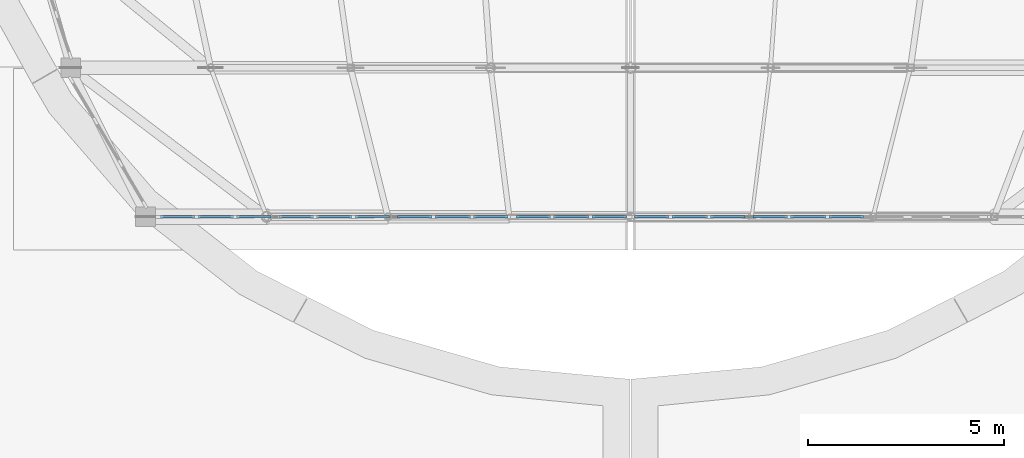
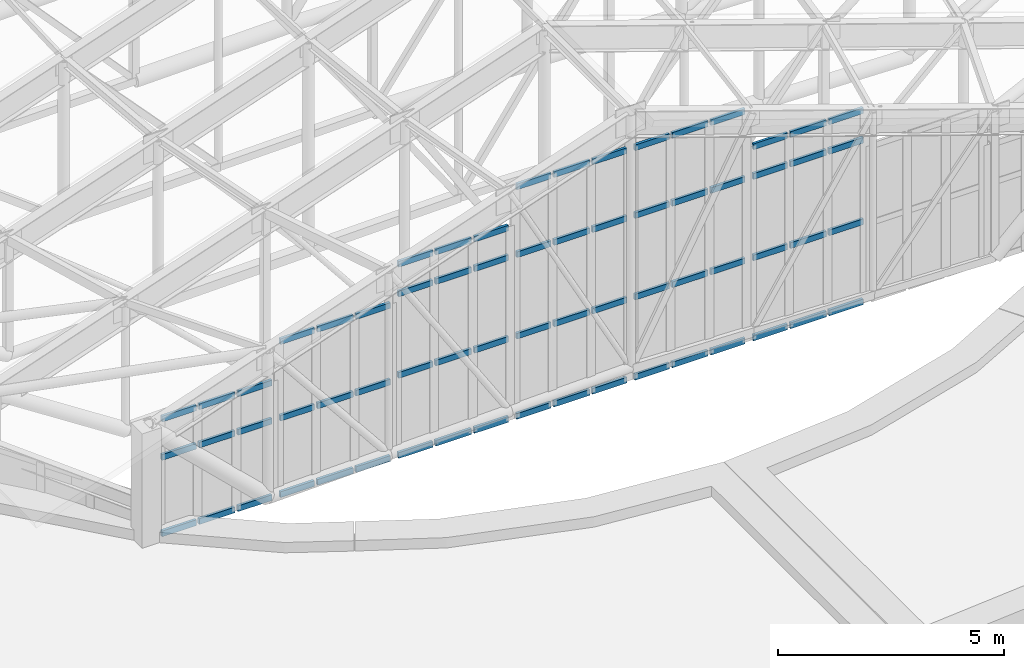
# One storey, part 52 of 105: 66 members, 6 elements without a shape of their own.
"""IFC4 building model written with IfcOpenShell, lengths in metres."""

from ifc_helpers import new_model, si_unit, direction, frame, origin, origin_2d, place, context, subcontext, project, spatial, rectangle, extrude, material, material_profile, profile_set, type_object, element, aggregate, save


model = new_model("IFC4")

# Units and contexts
model_context = context("Model", 3, precision=1e-05, world=origin(), true_north=direction((0.0, 1.0)))
body_context = subcontext(model_context, "Body", "Model", "MODEL_VIEW")
ifc_project = project(units=[si_unit("LENGTHUNIT", "METRE"), si_unit("AREAUNIT", "SQUARE_METRE"), si_unit("VOLUMEUNIT", "CUBIC_METRE"), si_unit("PLANEANGLEUNIT", "RADIAN"), si_unit("MASSUNIT", "GRAM", prefix="KILO")], contexts=[model_context])

# Site, building, storey
site_placement = place(None, origin())
site = spatial("IfcSite", under=ifc_project, at=site_placement, CompositionType="ELEMENT")
building_placement = place(site_placement, origin())
building = spatial("IfcBuilding", under=site, at=building_placement, Name="Corveleigh Park Community Centre", CompositionType="ELEMENT")
storey_placement = place(building_placement, frame((0.0, 0.0, 8.699951171875)))
storey = spatial("IfcBuildingStorey", under=building, at=storey_placement, Name="L02", CompositionType="ELEMENT", Elevation=8.699951171875)

# Curtain wall, members
ifc_material = material(Name="Anodised aluminium 6063-T6", Category="aluminium")
curtain_wall_type = type_object("IfcCurtainWallType", Name="CW-SYS-V1-DRUM", PredefinedType="NOTDEFINED", material=ifc_material)
curtain_wall_1_placement = place(storey_placement, origin())
curtain_wall_1 = element("IfcCurtainWall", 1, at=curtain_wall_1_placement, inside=storey, type_object=curtain_wall_type, Name="Main Hall S Gable Clerestory 1", PredefinedType="NOTDEFINED")
ifc_material_profile = material_profile(ifc_material, rectangle(XDim=0.070068359375, YDim=0.155029296875, at=origin_2d()), Name="ALU-T70x155", Category="aluminium")
ifc_profile_set = profile_set([ifc_material_profile], Name="Anodised aluminium 6063-T6")
member_type = type_object("IfcMemberType", Name="CWT-70x155", PredefinedType="USERDEFINED", material=ifc_profile_set)
member_1_placement = place(storey_placement, frame((19.01904296875, 15.39990234375, 0.03515625), z_axis=(1.0, 0.0, 0.0), x_axis=(0.0, 1.0, 0.0)))
member_1 = element("IfcMember", 2, at=member_1_placement, type_object=member_type, Name="CW02 transom 1.1", ObjectType="TRANSOM", PredefinedType="USERDEFINED", context=body_context, shape_type="SweptSolid", body=[
    extrude(rectangle(XDim=0.070068359375, YDim=0.155029296875, at=origin_2d()), origin(), (0.0, 0.0, 1.0), 0.87451171875),
])
member_2_placement = place(storey_placement, frame((19.01904296875, 15.39990234375, 2.10009765625), z_axis=(1.0, 0.0, 0.0), x_axis=(0.0, 1.0, 0.0)))
member_2 = element("IfcMember", 3, at=member_2_placement, type_object=member_type, Name="CW02 transom 1.2", ObjectType="TRANSOM", PredefinedType="USERDEFINED", context=body_context, shape_type="SweptSolid", body=[
    extrude(rectangle(XDim=0.070068359375, YDim=0.155029296875, at=origin_2d()), origin(), (0.0, 0.0, 1.0), 0.87451171875),
])
member_3_placement = place(storey_placement, frame((19.01904296875, 15.39990234375, 3.135986328125), z_axis=(1.0, 0.0, 0.0), x_axis=(0.0, 1.0, 0.0)))
member_3 = element("IfcMember", 4, at=member_3_placement, type_object=member_type, Name="CW02 transom 1.3", ObjectType="TRANSOM", PredefinedType="USERDEFINED", context=body_context, shape_type="SweptSolid", body=[
    extrude(rectangle(XDim=0.070068359375, YDim=0.155029296875, at=origin_2d()), origin(), (0.0, 0.0, 1.0), 0.87451171875),
])
member_4_placement = place(storey_placement, frame((19.968505859375, 15.39990234375, 0.03515625), z_axis=(1.0, 0.0, 0.0), x_axis=(0.0, 1.0, 0.0)))
member_4 = element("IfcMember", 5, at=member_4_placement, type_object=member_type, Name="CW02 transom 2.1", ObjectType="TRANSOM", PredefinedType="USERDEFINED", context=body_context, shape_type="SweptSolid", body=[
    extrude(rectangle(XDim=0.070068359375, YDim=0.155029296875, at=origin_2d()), origin(), (0.0, 0.0, 1.0), 0.912109375),
])
member_5_placement = place(storey_placement, frame((19.968505859375, 15.39990234375, 2.10009765625), z_axis=(1.0, 0.0, 0.0), x_axis=(0.0, 1.0, 0.0)))
member_5 = element("IfcMember", 6, at=member_5_placement, type_object=member_type, Name="CW02 transom 2.2", ObjectType="TRANSOM", PredefinedType="USERDEFINED", context=body_context, shape_type="SweptSolid", body=[
    extrude(rectangle(XDim=0.070068359375, YDim=0.155029296875, at=origin_2d()), origin(), (0.0, 0.0, 1.0), 0.912109375),
])
member_6_placement = place(storey_placement, frame((19.968505859375, 15.39990234375, 3.135986328125), z_axis=(1.0, 0.0, 0.0), x_axis=(0.0, 1.0, 0.0)))
member_6 = element("IfcMember", 7, at=member_6_placement, type_object=member_type, Name="CW02 transom 2.3", ObjectType="TRANSOM", PredefinedType="USERDEFINED", context=body_context, shape_type="SweptSolid", body=[
    extrude(rectangle(XDim=0.070068359375, YDim=0.155029296875, at=origin_2d()), origin(), (0.0, 0.0, 1.0), 0.912109375),
])
member_7_placement = place(storey_placement, frame((20.95556640625, 15.39990234375, 0.03515625), z_axis=(1.0, 0.0, 0.0), x_axis=(0.0, 1.0, 0.0)))
member_7 = element("IfcMember", 8, at=member_7_placement, type_object=member_type, Name="CW02 transom 3.1", ObjectType="TRANSOM", PredefinedType="USERDEFINED", context=body_context, shape_type="SweptSolid", body=[
    extrude(rectangle(XDim=0.070068359375, YDim=0.155029296875, at=origin_2d()), origin(), (0.0, 0.0, 1.0), 0.87451171875),
])
member_8_placement = place(storey_placement, frame((20.95556640625, 15.39990234375, 2.10009765625), z_axis=(1.0, 0.0, 0.0), x_axis=(0.0, 1.0, 0.0)))
member_8 = element("IfcMember", 9, at=member_8_placement, type_object=member_type, Name="CW02 transom 3.2", ObjectType="TRANSOM", PredefinedType="USERDEFINED", context=body_context, shape_type="SweptSolid", body=[
    extrude(rectangle(XDim=0.070068359375, YDim=0.155029296875, at=origin_2d()), origin(), (0.0, 0.0, 1.0), 0.87451171875),
])
member_9_placement = place(storey_placement, frame((20.95556640625, 15.39990234375, 3.135986328125), z_axis=(1.0, 0.0, 0.0), x_axis=(0.0, 1.0, 0.0)))
member_9 = element("IfcMember", 10, at=member_9_placement, type_object=member_type, Name="CW02 transom 3.3", ObjectType="TRANSOM", PredefinedType="USERDEFINED", context=body_context, shape_type="SweptSolid", body=[
    extrude(rectangle(XDim=0.070068359375, YDim=0.155029296875, at=origin_2d()), origin(), (0.0, 0.0, 1.0), 0.87451171875),
])
aggregate(curtain_wall_1, [member_1, member_2, member_3, member_4, member_5, member_6, member_7, member_8, member_9])

curtain_wall_2_placement = place(storey_placement, origin())
curtain_wall_2 = element("IfcCurtainWall", 11, at=curtain_wall_2_placement, inside=storey, type_object=curtain_wall_type, Name="Main Hall S Gable Clerestory 2", PredefinedType="NOTDEFINED")
member_10_placement = place(storey_placement, frame((22.041015625, 15.39990234375, 0.03515625), z_axis=(1.0, 0.0, 0.0), x_axis=(0.0, 1.0, 0.0)))
member_10 = element("IfcMember", 12, at=member_10_placement, type_object=member_type, Name="CW02 transom 1.1", ObjectType="TRANSOM", PredefinedType="USERDEFINED", context=body_context, shape_type="SweptSolid", body=[
    extrude(rectangle(XDim=0.070068359375, YDim=0.155029296875, at=origin_2d()), origin(), (0.0, 0.0, 1.0), 0.87451171875),
])
member_11_placement = place(storey_placement, frame((22.041015625, 15.39990234375, 2.10009765625), z_axis=(1.0, 0.0, 0.0), x_axis=(0.0, 1.0, 0.0)))
member_11 = element("IfcMember", 13, at=member_11_placement, type_object=member_type, Name="CW02 transom 1.2", ObjectType="TRANSOM", PredefinedType="USERDEFINED", context=body_context, shape_type="SweptSolid", body=[
    extrude(rectangle(XDim=0.070068359375, YDim=0.155029296875, at=origin_2d()), origin(), (0.0, 0.0, 1.0), 0.87451171875),
])
member_12_placement = place(storey_placement, frame((22.041015625, 15.39990234375, 4.16796875), z_axis=(1.0, 0.0, 0.0), x_axis=(0.0, 1.0, 0.0)))
member_12 = element("IfcMember", 14, at=member_12_placement, type_object=member_type, Name="CW02 transom 1.3", ObjectType="TRANSOM", PredefinedType="USERDEFINED", context=body_context, shape_type="SweptSolid", body=[
    extrude(rectangle(XDim=0.070068359375, YDim=0.155029296875, at=origin_2d()), origin(), (0.0, 0.0, 1.0), 0.87451171875),
])
member_13_placement = place(storey_placement, frame((22.990478515625, 15.39990234375, 0.03515625), z_axis=(1.0, 0.0, 0.0), x_axis=(0.0, 1.0, 0.0)))
member_13 = element("IfcMember", 15, at=member_13_placement, type_object=member_type, Name="CW02 transom 2.1", ObjectType="TRANSOM", PredefinedType="USERDEFINED", context=body_context, shape_type="SweptSolid", body=[
    extrude(rectangle(XDim=0.070068359375, YDim=0.155029296875, at=origin_2d()), origin(), (0.0, 0.0, 1.0), 0.912109375),
])
member_14_placement = place(storey_placement, frame((22.990478515625, 15.39990234375, 2.10009765625), z_axis=(1.0, 0.0, 0.0), x_axis=(0.0, 1.0, 0.0)))
member_14 = element("IfcMember", 16, at=member_14_placement, type_object=member_type, Name="CW02 transom 2.2", ObjectType="TRANSOM", PredefinedType="USERDEFINED", context=body_context, shape_type="SweptSolid", body=[
    extrude(rectangle(XDim=0.070068359375, YDim=0.155029296875, at=origin_2d()), origin(), (0.0, 0.0, 1.0), 0.912109375),
])
member_15_placement = place(storey_placement, frame((22.990478515625, 15.39990234375, 4.16796875), z_axis=(1.0, 0.0, 0.0), x_axis=(0.0, 1.0, 0.0)))
member_15 = element("IfcMember", 17, at=member_15_placement, type_object=member_type, Name="CW02 transom 2.3", ObjectType="TRANSOM", PredefinedType="USERDEFINED", context=body_context, shape_type="SweptSolid", body=[
    extrude(rectangle(XDim=0.070068359375, YDim=0.155029296875, at=origin_2d()), origin(), (0.0, 0.0, 1.0), 0.912109375),
])
member_16_placement = place(storey_placement, frame((23.9775390625, 15.39990234375, 0.03515625), z_axis=(1.0, 0.0, 0.0), x_axis=(0.0, 1.0, 0.0)))
member_16 = element("IfcMember", 18, at=member_16_placement, type_object=member_type, Name="CW02 transom 3.1", ObjectType="TRANSOM", PredefinedType="USERDEFINED", context=body_context, shape_type="SweptSolid", body=[
    extrude(rectangle(XDim=0.070068359375, YDim=0.155029296875, at=origin_2d()), origin(), (0.0, 0.0, 1.0), 0.87451171875),
])
member_17_placement = place(storey_placement, frame((23.9775390625, 15.39990234375, 2.10009765625), z_axis=(1.0, 0.0, 0.0), x_axis=(0.0, 1.0, 0.0)))
member_17 = element("IfcMember", 19, at=member_17_placement, type_object=member_type, Name="CW02 transom 3.2", ObjectType="TRANSOM", PredefinedType="USERDEFINED", context=body_context, shape_type="SweptSolid", body=[
    extrude(rectangle(XDim=0.070068359375, YDim=0.155029296875, at=origin_2d()), origin(), (0.0, 0.0, 1.0), 0.87451171875),
])
member_18_placement = place(storey_placement, frame((23.9775390625, 15.39990234375, 4.16796875), z_axis=(1.0, 0.0, 0.0), x_axis=(0.0, 1.0, 0.0)))
member_18 = element("IfcMember", 20, at=member_18_placement, type_object=member_type, Name="CW02 transom 3.3", ObjectType="TRANSOM", PredefinedType="USERDEFINED", context=body_context, shape_type="SweptSolid", body=[
    extrude(rectangle(XDim=0.070068359375, YDim=0.155029296875, at=origin_2d()), origin(), (0.0, 0.0, 1.0), 0.87451171875),
])
aggregate(curtain_wall_2, [member_10, member_11, member_12, member_13, member_14, member_15, member_16, member_17, member_18])

curtain_wall_3_placement = place(storey_placement, origin())
curtain_wall_3 = element("IfcCurtainWall", 21, at=curtain_wall_3_placement, inside=storey, type_object=curtain_wall_type, Name="Main Hall S Gable Clerestory 3", PredefinedType="NOTDEFINED")
member_19_placement = place(storey_placement, frame((25.06201171875, 15.39990234375, 0.03515625), z_axis=(1.0, 0.0, 0.0), x_axis=(0.0, 1.0, 0.0)))
member_19 = element("IfcMember", 22, at=member_19_placement, type_object=member_type, Name="CW02 transom 1.1", ObjectType="TRANSOM", PredefinedType="USERDEFINED", context=body_context, shape_type="SweptSolid", body=[
    extrude(rectangle(XDim=0.070068359375, YDim=0.155029296875, at=origin_2d()), origin(), (0.0, 0.0, 1.0), 0.87451171875),
])
member_20_placement = place(storey_placement, frame((25.06201171875, 15.39990234375, 2.199951171875), z_axis=(1.0, 0.0, 0.0), x_axis=(0.0, 1.0, 0.0)))
member_20 = element("IfcMember", 23, at=member_20_placement, type_object=member_type, Name="CW02 transom 1.2", ObjectType="TRANSOM", PredefinedType="USERDEFINED", context=body_context, shape_type="SweptSolid", body=[
    extrude(rectangle(XDim=0.070068359375, YDim=0.155029296875, at=origin_2d()), origin(), (0.0, 0.0, 1.0), 0.87451171875),
])
member_21_placement = place(storey_placement, frame((25.06201171875, 15.39990234375, 4.400146484375), z_axis=(1.0, 0.0, 0.0), x_axis=(0.0, 1.0, 0.0)))
member_21 = element("IfcMember", 24, at=member_21_placement, type_object=member_type, Name="CW02 transom 1.3", ObjectType="TRANSOM", PredefinedType="USERDEFINED", context=body_context, shape_type="SweptSolid", body=[
    extrude(rectangle(XDim=0.070068359375, YDim=0.155029296875, at=origin_2d()), origin(), (0.0, 0.0, 1.0), 0.87451171875),
])
member_22_placement = place(storey_placement, frame((25.06201171875, 15.39990234375, 5.200927734375), z_axis=(1.0, 0.0, 0.0), x_axis=(0.0, 1.0, 0.0)))
member_22 = element("IfcMember", 25, at=member_22_placement, type_object=member_type, Name="CW02 transom 1.4", ObjectType="TRANSOM", PredefinedType="USERDEFINED", context=body_context, shape_type="SweptSolid", body=[
    extrude(rectangle(XDim=0.070068359375, YDim=0.155029296875, at=origin_2d()), origin(), (0.0, 0.0, 1.0), 0.87451171875),
])
member_23_placement = place(storey_placement, frame((26.011474609375, 15.39990234375, 0.03515625), z_axis=(1.0, 0.0, 0.0), x_axis=(0.0, 1.0, 0.0)))
member_23 = element("IfcMember", 26, at=member_23_placement, type_object=member_type, Name="CW02 transom 2.1", ObjectType="TRANSOM", PredefinedType="USERDEFINED", context=body_context, shape_type="SweptSolid", body=[
    extrude(rectangle(XDim=0.070068359375, YDim=0.155029296875, at=origin_2d()), origin(), (0.0, 0.0, 1.0), 0.912109375),
])
member_24_placement = place(storey_placement, frame((26.011474609375, 15.39990234375, 2.199951171875), z_axis=(1.0, 0.0, 0.0), x_axis=(0.0, 1.0, 0.0)))
member_24 = element("IfcMember", 27, at=member_24_placement, type_object=member_type, Name="CW02 transom 2.2", ObjectType="TRANSOM", PredefinedType="USERDEFINED", context=body_context, shape_type="SweptSolid", body=[
    extrude(rectangle(XDim=0.070068359375, YDim=0.155029296875, at=origin_2d()), origin(), (0.0, 0.0, 1.0), 0.912109375),
])
member_25_placement = place(storey_placement, frame((26.011474609375, 15.39990234375, 4.400146484375), z_axis=(1.0, 0.0, 0.0), x_axis=(0.0, 1.0, 0.0)))
member_25 = element("IfcMember", 28, at=member_25_placement, type_object=member_type, Name="CW02 transom 2.3", ObjectType="TRANSOM", PredefinedType="USERDEFINED", context=body_context, shape_type="SweptSolid", body=[
    extrude(rectangle(XDim=0.070068359375, YDim=0.155029296875, at=origin_2d()), origin(), (0.0, 0.0, 1.0), 0.912109375),
])
member_26_placement = place(storey_placement, frame((26.011474609375, 15.39990234375, 5.200927734375), z_axis=(1.0, 0.0, 0.0), x_axis=(0.0, 1.0, 0.0)))
member_26 = element("IfcMember", 29, at=member_26_placement, type_object=member_type, Name="CW02 transom 2.4", ObjectType="TRANSOM", PredefinedType="USERDEFINED", context=body_context, shape_type="SweptSolid", body=[
    extrude(rectangle(XDim=0.070068359375, YDim=0.155029296875, at=origin_2d()), origin(), (0.0, 0.0, 1.0), 0.912109375),
])
member_27_placement = place(storey_placement, frame((26.99853515625, 15.39990234375, 0.03515625), z_axis=(1.0, 0.0, 0.0), x_axis=(0.0, 1.0, 0.0)))
member_27 = element("IfcMember", 30, at=member_27_placement, type_object=member_type, Name="CW02 transom 3.1", ObjectType="TRANSOM", PredefinedType="USERDEFINED", context=body_context, shape_type="SweptSolid", body=[
    extrude(rectangle(XDim=0.070068359375, YDim=0.155029296875, at=origin_2d()), origin(), (0.0, 0.0, 1.0), 0.87451171875),
])
member_28_placement = place(storey_placement, frame((26.99853515625, 15.39990234375, 2.199951171875), z_axis=(1.0, 0.0, 0.0), x_axis=(0.0, 1.0, 0.0)))
member_28 = element("IfcMember", 31, at=member_28_placement, type_object=member_type, Name="CW02 transom 3.2", ObjectType="TRANSOM", PredefinedType="USERDEFINED", context=body_context, shape_type="SweptSolid", body=[
    extrude(rectangle(XDim=0.070068359375, YDim=0.155029296875, at=origin_2d()), origin(), (0.0, 0.0, 1.0), 0.87451171875),
])
member_29_placement = place(storey_placement, frame((26.99853515625, 15.39990234375, 4.400146484375), z_axis=(1.0, 0.0, 0.0), x_axis=(0.0, 1.0, 0.0)))
member_29 = element("IfcMember", 32, at=member_29_placement, type_object=member_type, Name="CW02 transom 3.3", ObjectType="TRANSOM", PredefinedType="USERDEFINED", context=body_context, shape_type="SweptSolid", body=[
    extrude(rectangle(XDim=0.070068359375, YDim=0.155029296875, at=origin_2d()), origin(), (0.0, 0.0, 1.0), 0.87451171875),
])
member_30_placement = place(storey_placement, frame((26.99853515625, 15.39990234375, 5.200927734375), z_axis=(1.0, 0.0, 0.0), x_axis=(0.0, 1.0, 0.0)))
member_30 = element("IfcMember", 33, at=member_30_placement, type_object=member_type, Name="CW02 transom 3.4", ObjectType="TRANSOM", PredefinedType="USERDEFINED", context=body_context, shape_type="SweptSolid", body=[
    extrude(rectangle(XDim=0.070068359375, YDim=0.155029296875, at=origin_2d()), origin(), (0.0, 0.0, 1.0), 0.87451171875),
])
aggregate(curtain_wall_3, [member_19, member_20, member_21, member_22, member_23, member_24, member_25, member_26, member_27, member_28, member_29, member_30])

curtain_wall_4_placement = place(storey_placement, origin())
curtain_wall_4 = element("IfcCurtainWall", 34, at=curtain_wall_4_placement, inside=storey, type_object=curtain_wall_type, Name="Main Hall S Gable Clerestory 4", PredefinedType="NOTDEFINED")
member_31_placement = place(storey_placement, frame((28.083984375, 15.39990234375, 0.03515625), z_axis=(1.0, 0.0, 0.0), x_axis=(0.0, 1.0, 0.0)))
member_31 = element("IfcMember", 35, at=member_31_placement, type_object=member_type, Name="CW02 transom 1.1", ObjectType="TRANSOM", PredefinedType="USERDEFINED", context=body_context, shape_type="SweptSolid", body=[
    extrude(rectangle(XDim=0.070068359375, YDim=0.155029296875, at=origin_2d()), origin(), (0.0, 0.0, 1.0), 0.87451171875),
])
member_32_placement = place(storey_placement, frame((28.083984375, 15.39990234375, 2.199951171875), z_axis=(1.0, 0.0, 0.0), x_axis=(0.0, 1.0, 0.0)))
member_32 = element("IfcMember", 36, at=member_32_placement, type_object=member_type, Name="CW02 transom 1.2", ObjectType="TRANSOM", PredefinedType="USERDEFINED", context=body_context, shape_type="SweptSolid", body=[
    extrude(rectangle(XDim=0.070068359375, YDim=0.155029296875, at=origin_2d()), origin(), (0.0, 0.0, 1.0), 0.87451171875),
])
member_33_placement = place(storey_placement, frame((28.083984375, 15.39990234375, 4.400146484375), z_axis=(1.0, 0.0, 0.0), x_axis=(0.0, 1.0, 0.0)))
member_33 = element("IfcMember", 37, at=member_33_placement, type_object=member_type, Name="CW02 transom 1.3", ObjectType="TRANSOM", PredefinedType="USERDEFINED", context=body_context, shape_type="SweptSolid", body=[
    extrude(rectangle(XDim=0.070068359375, YDim=0.155029296875, at=origin_2d()), origin(), (0.0, 0.0, 1.0), 0.87451171875),
])
member_34_placement = place(storey_placement, frame((28.083984375, 15.39990234375, 6.233154296875), z_axis=(1.0, 0.0, 0.0), x_axis=(0.0, 1.0, 0.0)))
member_34 = element("IfcMember", 38, at=member_34_placement, type_object=member_type, Name="CW02 transom 1.4", ObjectType="TRANSOM", PredefinedType="USERDEFINED", context=body_context, shape_type="SweptSolid", body=[
    extrude(rectangle(XDim=0.070068359375, YDim=0.155029296875, at=origin_2d()), origin(), (0.0, 0.0, 1.0), 0.87451171875),
])
member_35_placement = place(storey_placement, frame((29.033447265625, 15.39990234375, 0.03515625), z_axis=(1.0, 0.0, 0.0), x_axis=(0.0, 1.0, 0.0)))
member_35 = element("IfcMember", 39, at=member_35_placement, type_object=member_type, Name="CW02 transom 2.1", ObjectType="TRANSOM", PredefinedType="USERDEFINED", context=body_context, shape_type="SweptSolid", body=[
    extrude(rectangle(XDim=0.070068359375, YDim=0.155029296875, at=origin_2d()), origin(), (0.0, 0.0, 1.0), 0.912109375),
])
member_36_placement = place(storey_placement, frame((29.033447265625, 15.39990234375, 2.199951171875), z_axis=(1.0, 0.0, 0.0), x_axis=(0.0, 1.0, 0.0)))
member_36 = element("IfcMember", 40, at=member_36_placement, type_object=member_type, Name="CW02 transom 2.2", ObjectType="TRANSOM", PredefinedType="USERDEFINED", context=body_context, shape_type="SweptSolid", body=[
    extrude(rectangle(XDim=0.070068359375, YDim=0.155029296875, at=origin_2d()), origin(), (0.0, 0.0, 1.0), 0.912109375),
])
member_37_placement = place(storey_placement, frame((29.033447265625, 15.39990234375, 4.400146484375), z_axis=(1.0, 0.0, 0.0), x_axis=(0.0, 1.0, 0.0)))
member_37 = element("IfcMember", 41, at=member_37_placement, type_object=member_type, Name="CW02 transom 2.3", ObjectType="TRANSOM", PredefinedType="USERDEFINED", context=body_context, shape_type="SweptSolid", body=[
    extrude(rectangle(XDim=0.070068359375, YDim=0.155029296875, at=origin_2d()), origin(), (0.0, 0.0, 1.0), 0.912109375),
])
member_38_placement = place(storey_placement, frame((29.033447265625, 15.39990234375, 6.233154296875), z_axis=(1.0, 0.0, 0.0), x_axis=(0.0, 1.0, 0.0)))
member_38 = element("IfcMember", 42, at=member_38_placement, type_object=member_type, Name="CW02 transom 2.4", ObjectType="TRANSOM", PredefinedType="USERDEFINED", context=body_context, shape_type="SweptSolid", body=[
    extrude(rectangle(XDim=0.070068359375, YDim=0.155029296875, at=origin_2d()), origin(), (0.0, 0.0, 1.0), 0.912109375),
])
member_39_placement = place(storey_placement, frame((30.0205078125, 15.39990234375, 0.03515625), z_axis=(1.0, 0.0, 0.0), x_axis=(0.0, 1.0, 0.0)))
member_39 = element("IfcMember", 43, at=member_39_placement, type_object=member_type, Name="CW02 transom 3.1", ObjectType="TRANSOM", PredefinedType="USERDEFINED", context=body_context, shape_type="SweptSolid", body=[
    extrude(rectangle(XDim=0.070068359375, YDim=0.155029296875, at=origin_2d()), origin(), (0.0, 0.0, 1.0), 0.87451171875),
])
member_40_placement = place(storey_placement, frame((30.0205078125, 15.39990234375, 2.199951171875), z_axis=(1.0, 0.0, 0.0), x_axis=(0.0, 1.0, 0.0)))
member_40 = element("IfcMember", 44, at=member_40_placement, type_object=member_type, Name="CW02 transom 3.2", ObjectType="TRANSOM", PredefinedType="USERDEFINED", context=body_context, shape_type="SweptSolid", body=[
    extrude(rectangle(XDim=0.070068359375, YDim=0.155029296875, at=origin_2d()), origin(), (0.0, 0.0, 1.0), 0.87451171875),
])
member_41_placement = place(storey_placement, frame((30.0205078125, 15.39990234375, 4.400146484375), z_axis=(1.0, 0.0, 0.0), x_axis=(0.0, 1.0, 0.0)))
member_41 = element("IfcMember", 45, at=member_41_placement, type_object=member_type, Name="CW02 transom 3.3", ObjectType="TRANSOM", PredefinedType="USERDEFINED", context=body_context, shape_type="SweptSolid", body=[
    extrude(rectangle(XDim=0.070068359375, YDim=0.155029296875, at=origin_2d()), origin(), (0.0, 0.0, 1.0), 0.87451171875),
])
member_42_placement = place(storey_placement, frame((30.0205078125, 15.39990234375, 6.233154296875), z_axis=(1.0, 0.0, 0.0), x_axis=(0.0, 1.0, 0.0)))
member_42 = element("IfcMember", 46, at=member_42_placement, type_object=member_type, Name="CW02 transom 3.4", ObjectType="TRANSOM", PredefinedType="USERDEFINED", context=body_context, shape_type="SweptSolid", body=[
    extrude(rectangle(XDim=0.070068359375, YDim=0.155029296875, at=origin_2d()), origin(), (0.0, 0.0, 1.0), 0.87451171875),
])
aggregate(curtain_wall_4, [member_31, member_32, member_33, member_34, member_35, member_36, member_37, member_38, member_39, member_40, member_41, member_42])

curtain_wall_5_placement = place(storey_placement, origin())
curtain_wall_5 = element("IfcCurtainWall", 47, at=curtain_wall_5_placement, inside=storey, type_object=curtain_wall_type, Name="Main Hall S Gable Clerestory 5", PredefinedType="NOTDEFINED")
member_43_placement = place(storey_placement, frame((31.10498046875, 15.39990234375, 0.03515625), z_axis=(1.0, 0.0, 0.0), x_axis=(0.0, 1.0, 0.0)))
member_43 = element("IfcMember", 48, at=member_43_placement, type_object=member_type, Name="CW02 transom 1.1", ObjectType="TRANSOM", PredefinedType="USERDEFINED", context=body_context, shape_type="SweptSolid", body=[
    extrude(rectangle(XDim=0.070068359375, YDim=0.155029296875, at=origin_2d()), origin(), (0.0, 0.0, 1.0), 0.874755859375),
])
member_44_placement = place(storey_placement, frame((31.10498046875, 15.39990234375, 2.199951171875), z_axis=(1.0, 0.0, 0.0), x_axis=(0.0, 1.0, 0.0)))
member_44 = element("IfcMember", 49, at=member_44_placement, type_object=member_type, Name="CW02 transom 1.2", ObjectType="TRANSOM", PredefinedType="USERDEFINED", context=body_context, shape_type="SweptSolid", body=[
    extrude(rectangle(XDim=0.070068359375, YDim=0.155029296875, at=origin_2d()), origin(), (0.0, 0.0, 1.0), 0.874755859375),
])
member_45_placement = place(storey_placement, frame((31.10498046875, 15.39990234375, 4.400146484375), z_axis=(1.0, 0.0, 0.0), x_axis=(0.0, 1.0, 0.0)))
member_45 = element("IfcMember", 50, at=member_45_placement, type_object=member_type, Name="CW02 transom 1.3", ObjectType="TRANSOM", PredefinedType="USERDEFINED", context=body_context, shape_type="SweptSolid", body=[
    extrude(rectangle(XDim=0.070068359375, YDim=0.155029296875, at=origin_2d()), origin(), (0.0, 0.0, 1.0), 0.874755859375),
])
member_46_placement = place(storey_placement, frame((31.10498046875, 15.39990234375, 6.233154296875), z_axis=(1.0, 0.0, 0.0), x_axis=(0.0, 1.0, 0.0)))
member_46 = element("IfcMember", 51, at=member_46_placement, type_object=member_type, Name="CW02 transom 1.4", ObjectType="TRANSOM", PredefinedType="USERDEFINED", context=body_context, shape_type="SweptSolid", body=[
    extrude(rectangle(XDim=0.070068359375, YDim=0.155029296875, at=origin_2d()), origin(), (0.0, 0.0, 1.0), 0.874755859375),
])
member_47_placement = place(storey_placement, frame((32.054931640625, 15.39990234375, 0.03515625), z_axis=(1.0, 0.0, 0.0), x_axis=(0.0, 1.0, 0.0)))
member_47 = element("IfcMember", 52, at=member_47_placement, type_object=member_type, Name="CW02 transom 2.1", ObjectType="TRANSOM", PredefinedType="USERDEFINED", context=body_context, shape_type="SweptSolid", body=[
    extrude(rectangle(XDim=0.070068359375, YDim=0.155029296875, at=origin_2d()), origin(), (0.0, 0.0, 1.0), 0.912353515625),
])
member_48_placement = place(storey_placement, frame((32.054931640625, 15.39990234375, 2.199951171875), z_axis=(1.0, 0.0, 0.0), x_axis=(0.0, 1.0, 0.0)))
member_48 = element("IfcMember", 53, at=member_48_placement, type_object=member_type, Name="CW02 transom 2.2", ObjectType="TRANSOM", PredefinedType="USERDEFINED", context=body_context, shape_type="SweptSolid", body=[
    extrude(rectangle(XDim=0.070068359375, YDim=0.155029296875, at=origin_2d()), origin(), (0.0, 0.0, 1.0), 0.912353515625),
])
member_49_placement = place(storey_placement, frame((32.054931640625, 15.39990234375, 4.400146484375), z_axis=(1.0, 0.0, 0.0), x_axis=(0.0, 1.0, 0.0)))
member_49 = element("IfcMember", 54, at=member_49_placement, type_object=member_type, Name="CW02 transom 2.3", ObjectType="TRANSOM", PredefinedType="USERDEFINED", context=body_context, shape_type="SweptSolid", body=[
    extrude(rectangle(XDim=0.070068359375, YDim=0.155029296875, at=origin_2d()), origin(), (0.0, 0.0, 1.0), 0.912353515625),
])
member_50_placement = place(storey_placement, frame((32.054931640625, 15.39990234375, 6.233154296875), z_axis=(1.0, 0.0, 0.0), x_axis=(0.0, 1.0, 0.0)))
member_50 = element("IfcMember", 55, at=member_50_placement, type_object=member_type, Name="CW02 transom 2.4", ObjectType="TRANSOM", PredefinedType="USERDEFINED", context=body_context, shape_type="SweptSolid", body=[
    extrude(rectangle(XDim=0.070068359375, YDim=0.155029296875, at=origin_2d()), origin(), (0.0, 0.0, 1.0), 0.912353515625),
])
member_51_placement = place(storey_placement, frame((33.042236328125, 15.39990234375, 0.03515625), z_axis=(1.0, 0.0, 0.0), x_axis=(0.0, 1.0, 0.0)))
member_51 = element("IfcMember", 56, at=member_51_placement, type_object=member_type, Name="CW02 transom 3.1", ObjectType="TRANSOM", PredefinedType="USERDEFINED", context=body_context, shape_type="SweptSolid", body=[
    extrude(rectangle(XDim=0.070068359375, YDim=0.155029296875, at=origin_2d()), origin(), (0.0, 0.0, 1.0), 0.874755859375),
])
member_52_placement = place(storey_placement, frame((33.042236328125, 15.39990234375, 2.199951171875), z_axis=(1.0, 0.0, 0.0), x_axis=(0.0, 1.0, 0.0)))
member_52 = element("IfcMember", 57, at=member_52_placement, type_object=member_type, Name="CW02 transom 3.2", ObjectType="TRANSOM", PredefinedType="USERDEFINED", context=body_context, shape_type="SweptSolid", body=[
    extrude(rectangle(XDim=0.070068359375, YDim=0.155029296875, at=origin_2d()), origin(), (0.0, 0.0, 1.0), 0.874755859375),
])
member_53_placement = place(storey_placement, frame((33.042236328125, 15.39990234375, 4.400146484375), z_axis=(1.0, 0.0, 0.0), x_axis=(0.0, 1.0, 0.0)))
member_53 = element("IfcMember", 58, at=member_53_placement, type_object=member_type, Name="CW02 transom 3.3", ObjectType="TRANSOM", PredefinedType="USERDEFINED", context=body_context, shape_type="SweptSolid", body=[
    extrude(rectangle(XDim=0.070068359375, YDim=0.155029296875, at=origin_2d()), origin(), (0.0, 0.0, 1.0), 0.874755859375),
])
member_54_placement = place(storey_placement, frame((33.042236328125, 15.39990234375, 6.233154296875), z_axis=(1.0, 0.0, 0.0), x_axis=(0.0, 1.0, 0.0)))
member_54 = element("IfcMember", 59, at=member_54_placement, type_object=member_type, Name="CW02 transom 3.4", ObjectType="TRANSOM", PredefinedType="USERDEFINED", context=body_context, shape_type="SweptSolid", body=[
    extrude(rectangle(XDim=0.070068359375, YDim=0.155029296875, at=origin_2d()), origin(), (0.0, 0.0, 1.0), 0.874755859375),
])
aggregate(curtain_wall_5, [member_43, member_44, member_45, member_46, member_47, member_48, member_49, member_50, member_51, member_52, member_53, member_54])

curtain_wall_6_placement = place(storey_placement, origin())
curtain_wall_6 = element("IfcCurtainWall", 60, at=curtain_wall_6_placement, inside=storey, type_object=curtain_wall_type, Name="Main Hall S Gable Clerestory 6", PredefinedType="NOTDEFINED")
member_55_placement = place(storey_placement, frame((34.126953125, 15.39990234375, 0.03515625), z_axis=(1.0, 0.0, 0.0), x_axis=(0.0, 1.0, 0.0)))
member_55 = element("IfcMember", 61, at=member_55_placement, type_object=member_type, Name="CW02 transom 1.1", ObjectType="TRANSOM", PredefinedType="USERDEFINED", context=body_context, shape_type="SweptSolid", body=[
    extrude(rectangle(XDim=0.070068359375, YDim=0.155029296875, at=origin_2d()), origin(), (0.0, 0.0, 1.0), 0.87451171875),
])
member_56_placement = place(storey_placement, frame((34.126953125, 15.39990234375, 2.199951171875), z_axis=(1.0, 0.0, 0.0), x_axis=(0.0, 1.0, 0.0)))
member_56 = element("IfcMember", 62, at=member_56_placement, type_object=member_type, Name="CW02 transom 1.2", ObjectType="TRANSOM", PredefinedType="USERDEFINED", context=body_context, shape_type="SweptSolid", body=[
    extrude(rectangle(XDim=0.070068359375, YDim=0.155029296875, at=origin_2d()), origin(), (0.0, 0.0, 1.0), 0.87451171875),
])
member_57_placement = place(storey_placement, frame((34.126953125, 15.39990234375, 4.400146484375), z_axis=(1.0, 0.0, 0.0), x_axis=(0.0, 1.0, 0.0)))
member_57 = element("IfcMember", 63, at=member_57_placement, type_object=member_type, Name="CW02 transom 1.3", ObjectType="TRANSOM", PredefinedType="USERDEFINED", context=body_context, shape_type="SweptSolid", body=[
    extrude(rectangle(XDim=0.070068359375, YDim=0.155029296875, at=origin_2d()), origin(), (0.0, 0.0, 1.0), 0.87451171875),
])
member_58_placement = place(storey_placement, frame((34.126953125, 15.39990234375, 5.200927734375), z_axis=(1.0, 0.0, 0.0), x_axis=(0.0, 1.0, 0.0)))
member_58 = element("IfcMember", 64, at=member_58_placement, type_object=member_type, Name="CW02 transom 1.4", ObjectType="TRANSOM", PredefinedType="USERDEFINED", context=body_context, shape_type="SweptSolid", body=[
    extrude(rectangle(XDim=0.070068359375, YDim=0.155029296875, at=origin_2d()), origin(), (0.0, 0.0, 1.0), 0.87451171875),
])
member_59_placement = place(storey_placement, frame((35.076416015625, 15.39990234375, 0.03515625), z_axis=(1.0, 0.0, 0.0), x_axis=(0.0, 1.0, 0.0)))
member_59 = element("IfcMember", 65, at=member_59_placement, type_object=member_type, Name="CW02 transom 2.1", ObjectType="TRANSOM", PredefinedType="USERDEFINED", context=body_context, shape_type="SweptSolid", body=[
    extrude(rectangle(XDim=0.070068359375, YDim=0.155029296875, at=origin_2d()), origin(), (0.0, 0.0, 1.0), 0.912109375),
])
member_60_placement = place(storey_placement, frame((35.076416015625, 15.39990234375, 2.199951171875), z_axis=(1.0, 0.0, 0.0), x_axis=(0.0, 1.0, 0.0)))
member_60 = element("IfcMember", 66, at=member_60_placement, type_object=member_type, Name="CW02 transom 2.2", ObjectType="TRANSOM", PredefinedType="USERDEFINED", context=body_context, shape_type="SweptSolid", body=[
    extrude(rectangle(XDim=0.070068359375, YDim=0.155029296875, at=origin_2d()), origin(), (0.0, 0.0, 1.0), 0.912109375),
])
member_61_placement = place(storey_placement, frame((35.076416015625, 15.39990234375, 4.400146484375), z_axis=(1.0, 0.0, 0.0), x_axis=(0.0, 1.0, 0.0)))
member_61 = element("IfcMember", 67, at=member_61_placement, type_object=member_type, Name="CW02 transom 2.3", ObjectType="TRANSOM", PredefinedType="USERDEFINED", context=body_context, shape_type="SweptSolid", body=[
    extrude(rectangle(XDim=0.070068359375, YDim=0.155029296875, at=origin_2d()), origin(), (0.0, 0.0, 1.0), 0.912109375),
])
member_62_placement = place(storey_placement, frame((35.076416015625, 15.39990234375, 5.200927734375), z_axis=(1.0, 0.0, 0.0), x_axis=(0.0, 1.0, 0.0)))
member_62 = element("IfcMember", 68, at=member_62_placement, type_object=member_type, Name="CW02 transom 2.4", ObjectType="TRANSOM", PredefinedType="USERDEFINED", context=body_context, shape_type="SweptSolid", body=[
    extrude(rectangle(XDim=0.070068359375, YDim=0.155029296875, at=origin_2d()), origin(), (0.0, 0.0, 1.0), 0.912109375),
])
member_63_placement = place(storey_placement, frame((36.0634765625, 15.39990234375, 0.03515625), z_axis=(1.0, 0.0, 0.0), x_axis=(0.0, 1.0, 0.0)))
member_63 = element("IfcMember", 69, at=member_63_placement, type_object=member_type, Name="CW02 transom 3.1", ObjectType="TRANSOM", PredefinedType="USERDEFINED", context=body_context, shape_type="SweptSolid", body=[
    extrude(rectangle(XDim=0.070068359375, YDim=0.155029296875, at=origin_2d()), origin(), (0.0, 0.0, 1.0), 0.87451171875),
])
member_64_placement = place(storey_placement, frame((36.0634765625, 15.39990234375, 2.199951171875), z_axis=(1.0, 0.0, 0.0), x_axis=(0.0, 1.0, 0.0)))
member_64 = element("IfcMember", 70, at=member_64_placement, type_object=member_type, Name="CW02 transom 3.2", ObjectType="TRANSOM", PredefinedType="USERDEFINED", context=body_context, shape_type="SweptSolid", body=[
    extrude(rectangle(XDim=0.070068359375, YDim=0.155029296875, at=origin_2d()), origin(), (0.0, 0.0, 1.0), 0.87451171875),
])
member_65_placement = place(storey_placement, frame((36.0634765625, 15.39990234375, 4.400146484375), z_axis=(1.0, 0.0, 0.0), x_axis=(0.0, 1.0, 0.0)))
member_65 = element("IfcMember", 71, at=member_65_placement, type_object=member_type, Name="CW02 transom 3.3", ObjectType="TRANSOM", PredefinedType="USERDEFINED", context=body_context, shape_type="SweptSolid", body=[
    extrude(rectangle(XDim=0.070068359375, YDim=0.155029296875, at=origin_2d()), origin(), (0.0, 0.0, 1.0), 0.87451171875),
])
member_66_placement = place(storey_placement, frame((36.0634765625, 15.39990234375, 5.200927734375), z_axis=(1.0, 0.0, 0.0), x_axis=(0.0, 1.0, 0.0)))
member_66 = element("IfcMember", 72, at=member_66_placement, type_object=member_type, Name="CW02 transom 3.4", ObjectType="TRANSOM", PredefinedType="USERDEFINED", context=body_context, shape_type="SweptSolid", body=[
    extrude(rectangle(XDim=0.070068359375, YDim=0.155029296875, at=origin_2d()), origin(), (0.0, 0.0, 1.0), 0.87451171875),
])
aggregate(curtain_wall_6, [member_55, member_56, member_57, member_58, member_59, member_60, member_61, member_62, member_63, member_64, member_65, member_66])

save(model, "model.ifc")
